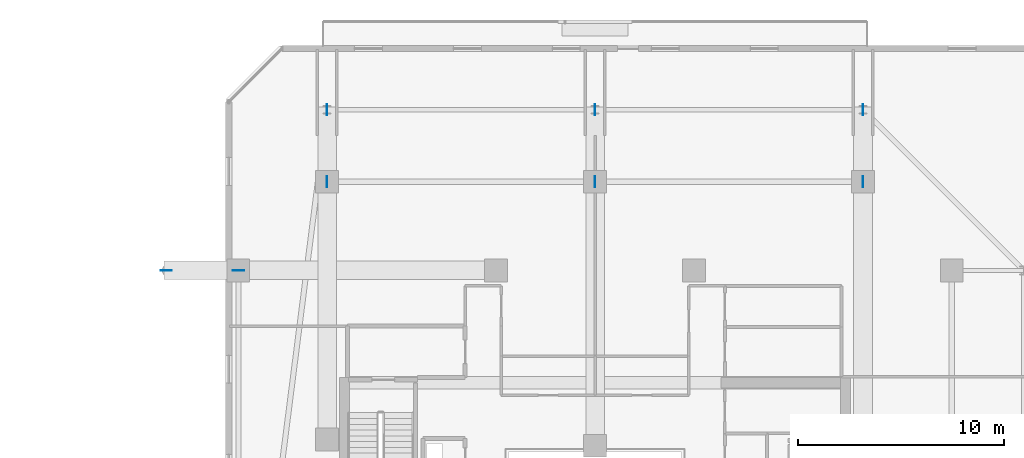
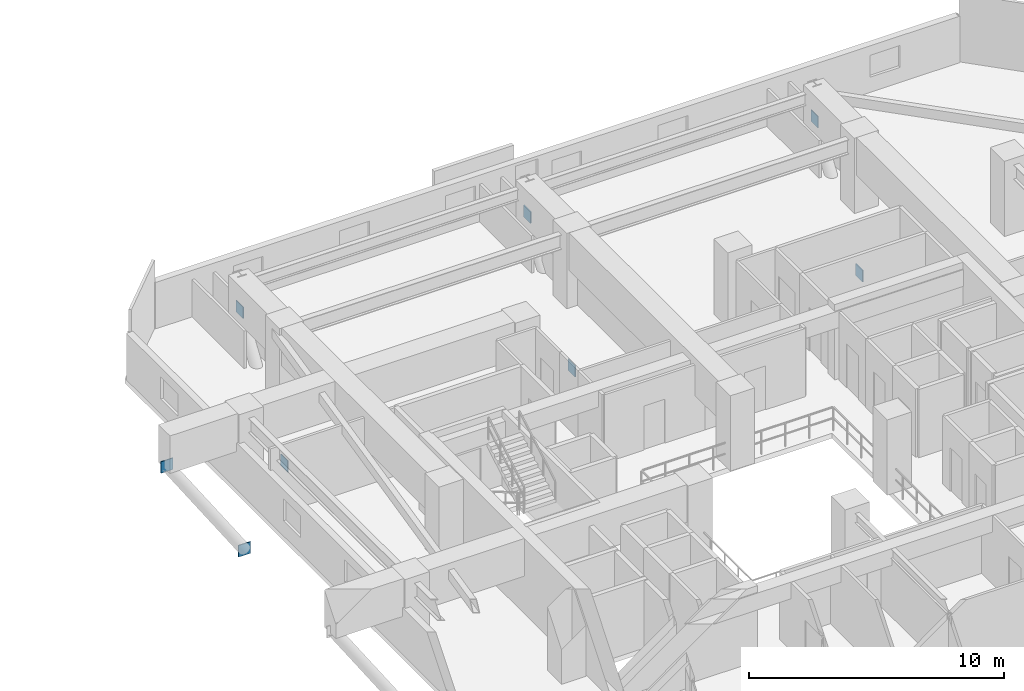
# One storey, part 21 of 36: 8 plates.
"""IFC4 building model written with IfcOpenShell, lengths in metres."""

from ifc_helpers import new_model, si_unit, direction, frame, origin, origin_2d, place, context, subcontext, project, spatial, rectangle, extrude, material, layer, layer_set, type_object, element, save


model = new_model("IFC4")

# Units and contexts
model_context = context("Model", 3, precision=1e-05, world=origin(), true_north=direction((0.0, 1.0)))
body_context = subcontext(model_context, "Body", "Model", "MODEL_VIEW")
ifc_project = project(units=[si_unit("LENGTHUNIT", "METRE"), si_unit("AREAUNIT", "SQUARE_METRE"), si_unit("VOLUMEUNIT", "CUBIC_METRE"), si_unit("PLANEANGLEUNIT", "RADIAN"), si_unit("MASSUNIT", "GRAM", prefix="KILO")], contexts=[model_context])

# Site, building, storey
site_placement = place(None, origin())
site = spatial("IfcSite", under=ifc_project, at=site_placement, CompositionType="ELEMENT")
building_placement = place(site_placement, origin())
building = spatial("IfcBuilding", under=site, at=building_placement, Name="Thornwick Lancets Civic Towers", CompositionType="ELEMENT")
storey_placement = place(building_placement, frame((0.0, 0.0, 170.699951171875)))
storey = spatial("IfcBuildingStorey", under=building, at=storey_placement, Name="L45", CompositionType="ELEMENT", Elevation=170.699951171875)

# Plates
ifc_material = material(Name="Steel S460M", Category="steel")
ifc_layer = layer(ifc_material, 0.0400390625, Name="Steel S460M")
ifc_layer_set = layer_set([ifc_layer], Name="Steel S460M")
plate_type = type_object("IfcPlateType", Name="PLT_GUSSET_40", PredefinedType="USERDEFINED", material=ifc_layer_set)
for number, where, z_axis, x_axis, name in (
    (1, (101.5, 44.300048828125, -3.625), (0.0, 0.0, 1.0), (0.0, 1.0, 0.0), "L45 Brace Connection Gusset Plate 0275"),
    (2, (101.5, 47.800048828125, 1.60498046875), (0.0, 0.0, 1.0), (0.0, 1.0, 0.0), "L45 Brace Connection Gusset Plate 0276"),
    (3, (88.5, 44.300048828125, -3.625), (0.0, 0.0, 1.0), (0.0, 1.0, 0.0), "L45 Brace Connection Gusset Plate 0277"),
    (4, (88.5, 47.800048828125, 1.60498046875), (0.0, 0.0, 1.0), (0.0, 1.0, 0.0), "L45 Brace Connection Gusset Plate 0278"),
    (5, (75.5, 44.300048828125, -3.625), (0.0, 0.0, 1.0), (0.0, 1.0, 0.0), "L45 Brace Connection Gusset Plate 0279"),
    (6, (75.5, 47.800048828125, 1.60498046875), (0.0, 0.0, 1.0), (0.0, 1.0, 0.0), "L45 Brace Connection Gusset Plate 0280"),
    (7, (71.199951171875, 40.0, -3.625), (0.0, 0.0, 1.0), (-1.0, 0.0, 0.0), "L45 Brace Connection Gusset Plate 0285"),
    (8, (67.699951171875, 40.0, 1.60498046875), (0.0, 0.0, 1.0), (-1.0, 0.0, 0.0), "L45 Brace Connection Gusset Plate 0286"),
):
    element("IfcPlate", number, at=place(storey_placement, frame(where, z_axis=z_axis, x_axis=x_axis)), inside=storey, type_object=plate_type, Name=name, ObjectType="GUSSET_PLATE", PredefinedType="USERDEFINED", context=body_context, shape_type="SweptSolid", body=[
        extrude(rectangle(XDim=0.550048828125, YDim=0.0400390625, at=origin_2d()), origin(), (0.0, 0.0, 1.0), 0.550048828125),
    ])

save(model, "model.ifc")
